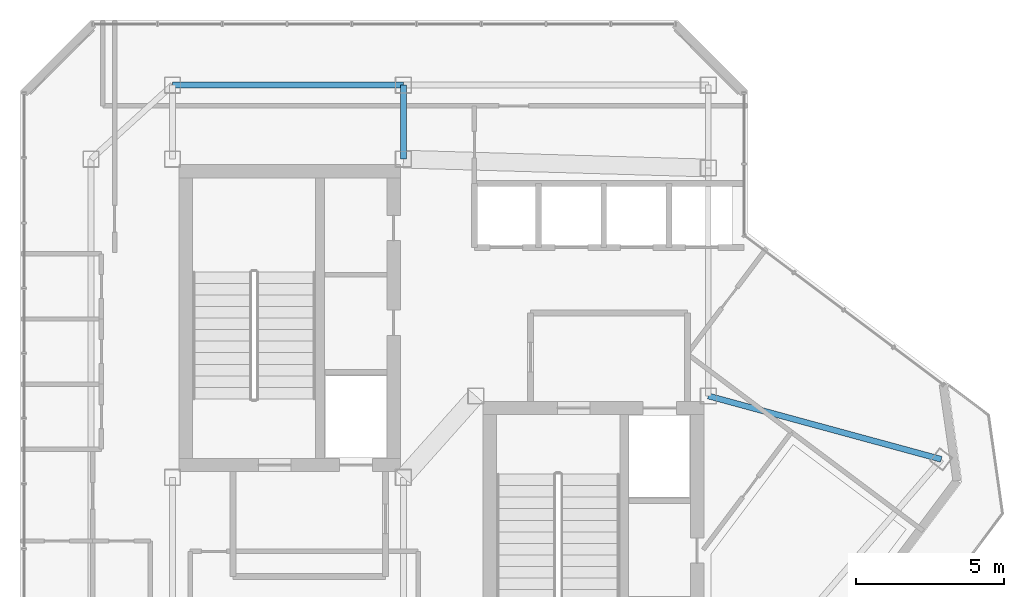
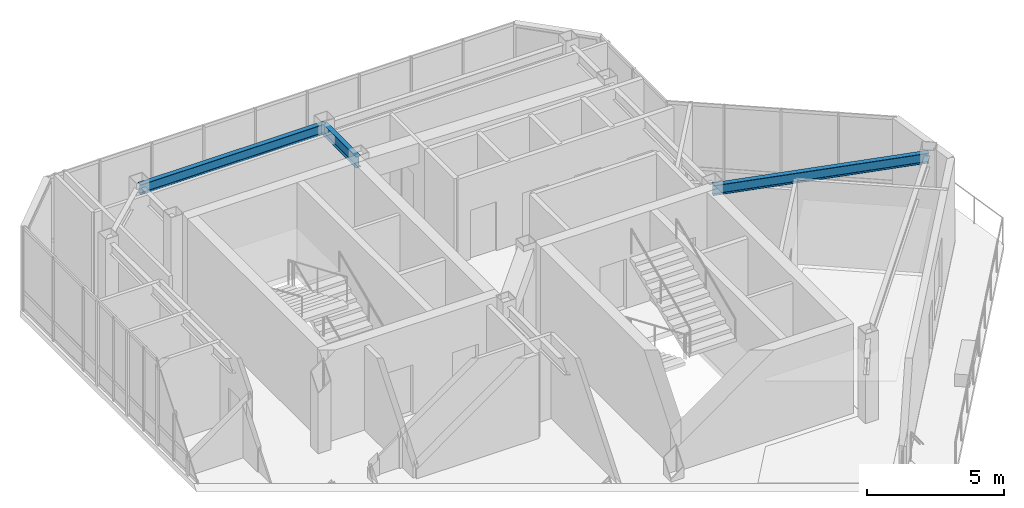
# One storey, part 10 of 23: 3 beams.
"""IFC4 building model written with IfcOpenShell, lengths in metres."""

from ifc_helpers import new_model, si_unit, direction, frame, origin, origin_2d, place, context, subcontext, project, spatial, i_section, extrude, material, material_profile, profile_set, type_object, element, save


model = new_model("IFC4")

# Units and contexts
model_context = context("Model", 3, precision=1e-05, world=origin(), true_north=direction((0.0, 1.0)))
body_context = subcontext(model_context, "Body", "Model", "MODEL_VIEW")
ifc_project = project(units=[si_unit("LENGTHUNIT", "METRE"), si_unit("AREAUNIT", "SQUARE_METRE"), si_unit("VOLUMEUNIT", "CUBIC_METRE"), si_unit("PLANEANGLEUNIT", "RADIAN"), si_unit("MASSUNIT", "GRAM", prefix="KILO")], contexts=[model_context])

# Site, building, storey
site_placement = place(None, origin())
site = spatial("IfcSite", under=ifc_project, at=site_placement, CompositionType="ELEMENT")
building_placement = place(site_placement, origin())
building = spatial("IfcBuilding", under=site, at=building_placement, Name="Hatsunagi Terrace Concourse", CompositionType="ELEMENT")
storey_placement = place(building_placement, frame((0.0, 0.0, 281.949951171875)))
storey = spatial("IfcBuildingStorey", under=building, at=storey_placement, Name="L74", CompositionType="ELEMENT", Elevation=281.949951171875)

# Beams
ifc_material_1 = material(Name="Steel SN490B", Category="steel")
ifc_material_profile_1 = material_profile(ifc_material_1, i_section(OverallWidth=0.199951171875, OverallDepth=0.5, WebThickness=0.010009765625, FlangeThickness=0.01611328125, FilletRadius=0.01611328125, at=origin_2d()), Name="H-500x200x10x16")
ifc_profile_set_1 = profile_set([ifc_material_profile_1], Name="Steel SN490B")
beam_type_1 = type_object("IfcBeamType", Name="CrownFloorGirder_H_500x200", PredefinedType="BEAM", material=ifc_profile_set_1)
beam_1_placement = place(storey_placement, frame((33.35009765625, 43.300048828125, 3.5), z_axis=(0.0, 1.0, 0.0), x_axis=(-1.0, 0.0, 0.0)))
element("IfcBeam", 1, at=beam_1_placement, inside=storey, type_object=beam_type_1, Name="Beam G-07 BM-L74-CN2", PredefinedType="BEAM", context=body_context, shape_type="SweptSolid", body=[
    extrude(i_section(OverallWidth=0.199951171875, OverallDepth=0.5, WebThickness=0.010009765625, FlangeThickness=0.01611328125, FilletRadius=0.01611328125, at=origin_2d()), origin(), (0.0, 0.0, 1.0), 2.5),
])
ifc_material_2 = material(Name="Steel SN490B", Category="steel")
ifc_material_profile_2 = material_profile(ifc_material_2, i_section(OverallWidth=0.199951171875, OverallDepth=0.449951171875, WebThickness=0.009033203125, FlangeThickness=0.013916015625, FilletRadius=0.01611328125, at=origin_2d()), Name="H-450x200x9x14")
ifc_profile_set_2 = profile_set([ifc_material_profile_2], Name="Steel SN490B")
beam_type_2 = type_object("IfcBeamType", Name="PerimeterSpandrel_H_450x200", PredefinedType="SPANDREL", material=ifc_profile_set_2)
beam_2_placement = place(storey_placement, frame((25.550048828125, 45.800048828125, 3.525146484375), z_axis=(1.0, 0.0, 0.0), x_axis=(0.0, 1.0, 0.0)))
element("IfcBeam", 2, at=beam_2_placement, inside=storey, type_object=beam_type_2, Name="Beam SP-02 BM-L74-CNEW1", PredefinedType="SPANDREL", context=body_context, shape_type="SweptSolid", body=[
    extrude(i_section(OverallWidth=0.199951171875, OverallDepth=0.449951171875, WebThickness=0.009033203125, FlangeThickness=0.013916015625, FilletRadius=0.01611328125, at=origin_2d()), origin(), (0.0, 0.0, 1.0), 7.800048828125),
])
beam_3_placement = place(storey_placement, frame((43.64990234375, 35.300048828125, 3.525146484375), z_axis=(0.964958359286, -0.262403057994, 0.0), x_axis=(0.262403057994, 0.964958359286, 0.0)))
element("IfcBeam", 3, at=beam_3_placement, inside=storey, type_object=beam_type_2, Name="Beam SP-02 BM-L74-SE-NE0", PredefinedType="SPANDREL", context=body_context, shape_type="SweptSolid", body=[
    extrude(i_section(OverallWidth=0.199951171875, OverallDepth=0.449951171875, WebThickness=0.009033203125, FlangeThickness=0.013916015625, FilletRadius=0.01611328125, at=origin_2d()), origin(), (0.0, 0.0, 1.0), 8.156005859375),
])

save(model, "model.ifc")
